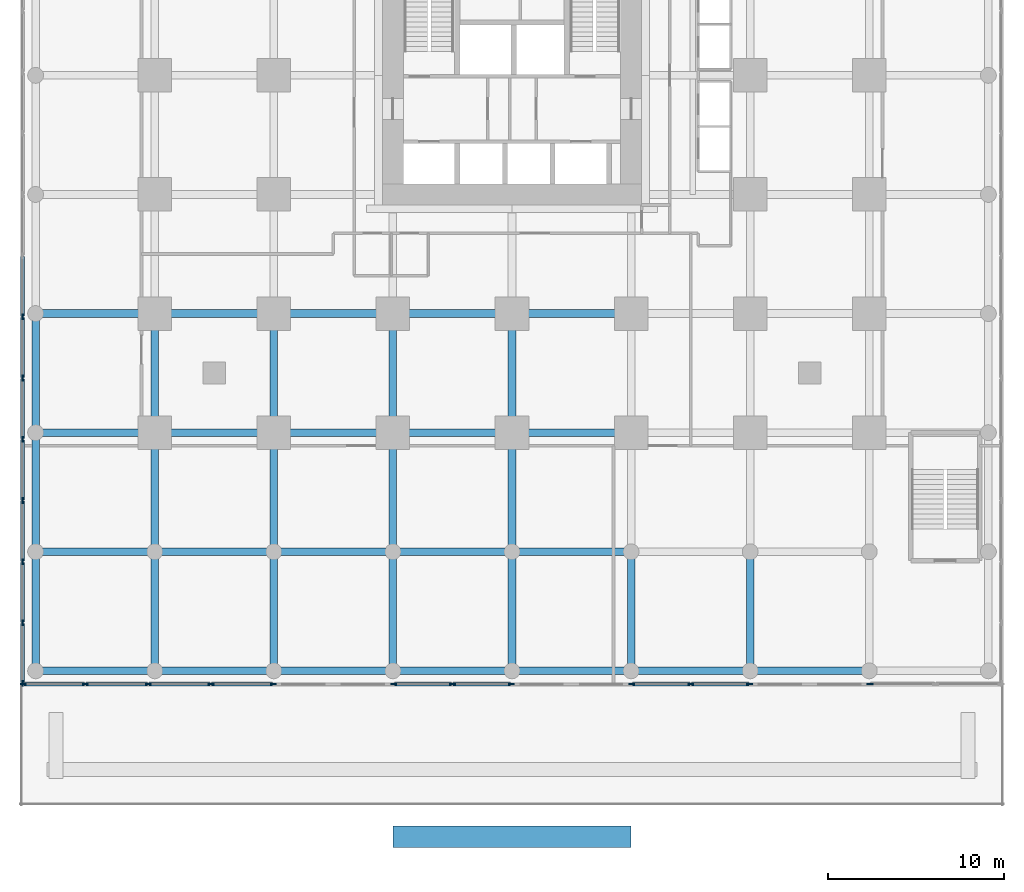
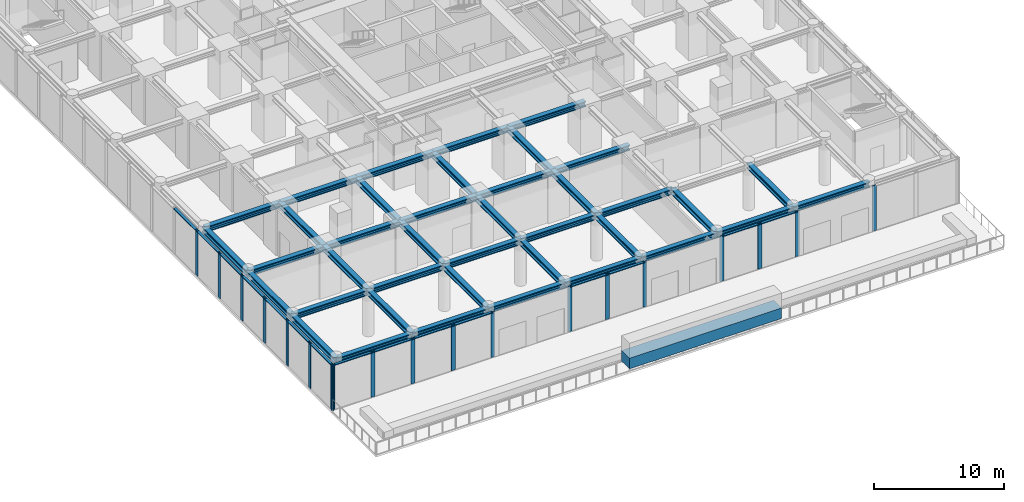
# One storey, part 2 of 11: 40 beams, 34 members, 5 elements without a shape of their own.
"""IFC4 building model written with IfcOpenShell, lengths in metres."""

import ifcopenshell
import ifcopenshell.guid

model = None  # the IFC model being written
_history = None  # IfcOwnerHistory: only IFC2X3 demands one
_inside = {}  # id of a spatial element -> (the spatial element, [elements in it])
_under = {}  # id of a project, library or spatial element -> (it, [spatial elements below it])
_declared = {}  # id of a project -> (the project, [libraries it declares])
_typed = {}  # id of a type object -> (the type object, [elements of that type])
_made_of = {}  # id of a material, layer set ... -> (it, [elements and type objects made of it])


def new_model(schema):
    """Start an empty IFC model of exactly this schema.

    Asked for "IFC4X3", IfcOpenShell would pick the latest addendum, in which some entities
    have other attributes; the version numbers below select the first issue.
    IFC2X3 requires an IfcOwnerHistory on every rooted entity: one is made here for all.
    """
    global model, _history
    if schema == "IFC4X3":
        model = ifcopenshell.file(schema_version=(4, 3, 0, 0))
    else:
        model = ifcopenshell.file(schema=schema)
    _inside.clear()
    _under.clear()
    _declared.clear()
    _typed.clear()
    _made_of.clear()
    _history = None
    if model.schema == "IFC2X3":
        org = make("IfcOrganization", Name="unknown")
        user = make(
            "IfcPersonAndOrganization",
            ThePerson=make("IfcPerson", FamilyName="unknown"),
            TheOrganization=org,
        )
        app = make(
            "IfcApplication",
            ApplicationDeveloper=org,
            Version="unknown",
            ApplicationFullName="unknown",
            ApplicationIdentifier="unknown",
        )
        _history = make(
            "IfcOwnerHistory",
            OwningUser=user,
            OwningApplication=app,
            ChangeAction="ADDED",
            CreationDate=0,
        )
    return model


def make(cls, **values):
    """One entity of the class cls with the attributes given. An attribute that is None is left unset."""
    return model.create_entity(
        cls, **{name: value for name, value in values.items() if value is not None}
    )


def rooted(cls, **values):
    """An entity with a GlobalId (a new one), such as an element, a storey or a relation."""
    return make(cls, GlobalId=ifcopenshell.guid.new(), OwnerHistory=_history, **values)


def si_unit(unit_type, name, prefix=None):
    """IfcSIUnit, for example si_unit("LENGTHUNIT", "METRE", prefix="MILLI")."""
    return make("IfcSIUnit", UnitType=unit_type, Prefix=prefix, Name=name)


def assignment(units):
    """IfcUnitAssignment: the units of a project."""
    return None if units is None else make("IfcUnitAssignment", Units=units)


def point(xyz):
    """IfcCartesianPoint."""
    return None if xyz is None else make("IfcCartesianPoint", Coordinates=xyz)


def direction(xyz):
    """IfcDirection."""
    return None if xyz is None else make("IfcDirection", DirectionRatios=xyz)


def frame(location, z_axis=None, x_axis=None):
    """IfcAxis2Placement3D, a coordinate frame: its origin and axes. An axis left out is left unset."""
    return make(
        "IfcAxis2Placement3D",
        Location=point(location),
        Axis=direction(z_axis),
        RefDirection=direction(x_axis),
    )


def frame_2d(location, x_axis=None):
    """IfcAxis2Placement2D, a coordinate frame in the plane: its origin and x axis."""
    return make(
        "IfcAxis2Placement2D", Location=point(location), RefDirection=direction(x_axis)
    )


def origin():
    """The frame at (0, 0, 0) with its axes left unset."""
    return frame((0.0, 0.0, 0.0))


def origin_2d():
    """The frame at (0, 0) in the plane with its x axis left unset."""
    return frame_2d((0.0, 0.0))


def place(relative_to, where):
    """IfcLocalPlacement: puts the frame where relative to a parent placement (None: the world)."""
    return make(
        "IfcLocalPlacement", PlacementRelTo=relative_to, RelativePlacement=where
    )


def context(
    kind, dimensions, precision=None, world=None, true_north=None, identifier=None
):
    """IfcGeometricRepresentationContext, for example the 3D "Model" context."""
    return make(
        "IfcGeometricRepresentationContext",
        ContextIdentifier=identifier,
        ContextType=kind,
        CoordinateSpaceDimension=dimensions,
        Precision=precision,
        WorldCoordinateSystem=world,
        TrueNorth=true_north,
    )


def subcontext(parent, identifier, kind, view, scale=None):
    """IfcGeometricRepresentationSubContext, for example "Body" below "Model"."""
    return make(
        "IfcGeometricRepresentationSubContext",
        ContextIdentifier=identifier,
        ContextType=kind,
        ParentContext=parent,
        TargetScale=scale,
        TargetView=view,
    )


def project(units=None, contexts=None):
    """IfcProject with its units and contexts."""
    return rooted(
        "IfcProject",
        Name="project",
        RepresentationContexts=contexts,
        UnitsInContext=assignment(units),
    )


def spatial(cls, under=None, at=None, **own):
    """A site, building, storey or space (cls), placed at a placement, below another one or the project."""
    s = rooted(cls, ObjectPlacement=at, **own)
    if under is not None:
        _under.setdefault(under.id(), (under, []))[1].append(s)
    return s


def profile(cls, at=None, kind="AREA", **sizes):
    """A parametric profile (cls). Its sizes go by their IFC names, for example OverallWidth=200.0."""
    return make(cls, ProfileType=kind, Position=at, **sizes)


def rectangle(**sizes):
    """IfcRectangleProfileDef."""
    return profile("IfcRectangleProfileDef", **sizes)


def i_section(**sizes):
    """IfcIShapeProfileDef."""
    return profile("IfcIShapeProfileDef", **sizes)


def extrude(swept, where, along, depth):
    """IfcExtrudedAreaSolid: the profile swept, set in the frame where, extruded along a direction by depth."""
    return make(
        "IfcExtrudedAreaSolid",
        SweptArea=swept,
        Position=where,
        ExtrudedDirection=direction(along),
        Depth=depth,
    )


def shape(context_of_items, identifier, shape_type, items):
    """IfcShapeRepresentation: the items that make up one representation, for example the "Body"."""
    return make(
        "IfcShapeRepresentation",
        ContextOfItems=context_of_items,
        RepresentationIdentifier=identifier,
        RepresentationType=shape_type,
        Items=items,
    )


def material(Name=None, Category=None):
    """IfcMaterial."""
    return make("IfcMaterial", Name=Name, Category=Category)


def material_profile(
    of_material, cross_section, Name=None, Category=None, Priority=None
):
    """IfcMaterialProfile: a cross section and its material."""
    return make(
        "IfcMaterialProfile",
        Name=Name,
        Material=of_material,
        Profile=cross_section,
        Priority=Priority,
        Category=Category,
    )


def profile_set(profiles, Name=None, composite=None):
    """IfcMaterialProfileSet."""
    return make(
        "IfcMaterialProfileSet",
        Name=Name,
        MaterialProfiles=profiles,
        CompositeProfile=composite,
    )


def made_of(thing, what):
    """Note that an element or type object is made of a material, layer set ...; save() writes the relation."""
    if what is not None:
        _made_of.setdefault(what.id(), (what, []))[1].append(thing)
    return thing


def type_object(cls, material=None, **own):
    """A type object (cls), such as IfcWallType, which elements share."""
    return made_of(rooted(cls, **own), material)


def element(
    cls,
    number,
    at=None,
    inside=None,
    cuts=None,
    type_object=None,
    material=None,
    context=None,
    identifier="Body",
    shape_type=None,
    held_by="IfcProductDefinitionShape",
    body=None,
    shapes=None,
    **own,
):
    """One element of the class cls, such as IfcWall. Its Tag is "e" and its number.

    at: its placement. inside: the storey or other place that contains it. cuts: it is an
    opening in that element (IfcRelVoidsElement). A single representation is given by context,
    identifier, shape_type and body (its items); several are given by shapes. held_by: the class
    of the entity that holds the representations. save() writes the other relations.
    """
    e = rooted(cls, Tag="e%d" % number, ObjectPlacement=at, **own)
    if body is not None:
        shapes = [shape(context, identifier, shape_type, body)]
    if shapes is not None:
        e.Representation = make(held_by, Representations=shapes)
    if inside is not None:
        _inside.setdefault(inside.id(), (inside, []))[1].append(e)
    if cuts is not None:
        rooted(
            "IfcRelVoidsElement", RelatingBuildingElement=cuts, RelatedOpeningElement=e
        )
    if type_object is not None:
        _typed.setdefault(type_object.id(), (type_object, []))[1].append(e)
    return made_of(e, material)


def aggregate(whole, parts):
    """IfcRelAggregates: a whole, such as a stair, and the parts it consists of."""
    return rooted("IfcRelAggregates", RelatingObject=whole, RelatedObjects=parts)


def save(model, path):
    """Write the relations noted so far, then the file.

    IfcRelAggregates (storeys below a building ...), IfcRelContainedInSpatialStructure (elements
    in a storey), IfcRelDefinesByType, IfcRelAssociatesMaterial and IfcRelDeclares: one each for
    every whole, place, type object, material and project.
    """
    for whole, parts in _under.values():
        aggregate(whole, parts)
    for where, things in _inside.values():
        rooted(
            "IfcRelContainedInSpatialStructure",
            RelatedElements=things,
            RelatingStructure=where,
        )
    for kind, things in _typed.values():
        rooted("IfcRelDefinesByType", RelatedObjects=things, RelatingType=kind)
    for what, things in _made_of.values():
        rooted("IfcRelAssociatesMaterial", RelatedObjects=things, RelatingMaterial=what)
    for by, libraries in _declared.values():
        rooted("IfcRelDeclares", RelatingContext=by, RelatedDefinitions=libraries)
    model.write(path)


model = new_model("IFC4")

# Units and contexts
model_context = context("Model", 3, precision=1e-05, world=origin(), true_north=direction((0.0, 1.0)))
body_context = subcontext(model_context, "Body", "Model", "MODEL_VIEW")
ifc_project = project(units=[si_unit("LENGTHUNIT", "METRE"), si_unit("AREAUNIT", "SQUARE_METRE"), si_unit("VOLUMEUNIT", "CUBIC_METRE"), si_unit("PLANEANGLEUNIT", "RADIAN"), si_unit("MASSUNIT", "GRAM", prefix="KILO")], contexts=[model_context])

# Site, building, storey
site_placement = place(None, origin())
site = spatial("IfcSite", under=ifc_project, at=site_placement, CompositionType="ELEMENT")
building_placement = place(site_placement, origin())
building = spatial("IfcBuilding", under=site, at=building_placement, Name="Nyansa Garden Tower", CompositionType="ELEMENT")
storey_placement = place(building_placement, frame((0.0, 0.0, 4.5)))
storey = spatial("IfcBuildingStorey", under=building, at=storey_placement, Name="L01", CompositionType="ELEMENT", Elevation=4.5)

# Curtain wall, members
ifc_material_1 = material(Name="Black anodised aluminium, clear double glazing", Category="aluminium")
curtain_wall_type = type_object("IfcCurtainWallType", Name="Podium curtain wall PCW", PredefinedType="USERDEFINED", material=ifc_material_1)
curtain_wall_1_placement = place(storey_placement, origin())
curtain_wall_1 = element("IfcCurtainWall", 1, at=curtain_wall_1_placement, inside=storey, type_object=curtain_wall_type, Name="Podium curtain wall L01 W", ObjectType="STICK CURTAIN WALL", PredefinedType="USERDEFINED")
ifc_material_2 = material(Name="Black anodised aluminium", Category="aluminium")
ifc_material_profile_1 = material_profile(ifc_material_2, rectangle(XDim=0.080078125, YDim=0.35009765625, at=origin_2d()), Name="Mullion 350x80")
ifc_profile_set_1 = profile_set([ifc_material_profile_1], Name="Black anodised aluminium")
member_type_1 = type_object("IfcMemberType", Name="Mullion PCW 350x80", PredefinedType="MULLION", material=ifc_profile_set_1)
member_1_placement = place(storey_placement, frame((-7.5, 6.5625, 0.0), z_axis=(0.0, 0.0, 1.0), x_axis=(1.0, 0.0, 0.0)))
member_1 = element("IfcMember", 2, at=member_1_placement, type_object=member_type_1, Name="PCW mullion 11", PredefinedType="MULLION", context=body_context, shape_type="SweptSolid", body=[
    extrude(rectangle(XDim=0.080078125, YDim=0.35009765625, at=origin_2d()), origin(), (0.0, 0.0, 1.0), 4.25),
])
member_2_placement = place(storey_placement, frame((-7.5, 3.09375, 0.0), z_axis=(0.0, 0.0, 1.0), x_axis=(1.0, 0.0, 0.0)))
member_2 = element("IfcMember", 3, at=member_2_placement, type_object=member_type_1, Name="PCW mullion 12", PredefinedType="MULLION", context=body_context, shape_type="SweptSolid", body=[
    extrude(rectangle(XDim=0.080078125, YDim=0.35009765625, at=origin_2d()), origin(), (0.0, 0.0, 1.0), 4.25),
])
member_3_placement = place(storey_placement, frame((-7.5, -0.375, 0.0), z_axis=(0.0, 0.0, 1.0), x_axis=(1.0, 0.0, 0.0)))
member_3 = element("IfcMember", 4, at=member_3_placement, type_object=member_type_1, Name="PCW mullion 13", PredefinedType="MULLION", context=body_context, shape_type="SweptSolid", body=[
    extrude(rectangle(XDim=0.080078125, YDim=0.35009765625, at=origin_2d()), origin(), (0.0, 0.0, 1.0), 4.25),
])
member_4_placement = place(storey_placement, frame((-7.5, -3.84375, 0.0), z_axis=(0.0, 0.0, 1.0), x_axis=(1.0, 0.0, 0.0)))
member_4 = element("IfcMember", 5, at=member_4_placement, type_object=member_type_1, Name="PCW mullion 14", PredefinedType="MULLION", context=body_context, shape_type="SweptSolid", body=[
    extrude(rectangle(XDim=0.080078125, YDim=0.35009765625, at=origin_2d()), origin(), (0.0, 0.0, 1.0), 4.25),
])
member_5_placement = place(storey_placement, frame((-7.5, -7.3125, 0.0), z_axis=(0.0, 0.0, 1.0), x_axis=(1.0, 0.0, 0.0)))
member_5 = element("IfcMember", 6, at=member_5_placement, type_object=member_type_1, Name="PCW mullion 15", PredefinedType="MULLION", context=body_context, shape_type="SweptSolid", body=[
    extrude(rectangle(XDim=0.080078125, YDim=0.35009765625, at=origin_2d()), origin(), (0.0, 0.0, 1.0), 4.25),
])
member_6_placement = place(storey_placement, frame((-7.5, -10.78125, 0.0), z_axis=(0.0, 0.0, 1.0), x_axis=(1.0, 0.0, 0.0)))
member_6 = element("IfcMember", 7, at=member_6_placement, type_object=member_type_1, Name="PCW mullion 16", PredefinedType="MULLION", context=body_context, shape_type="SweptSolid", body=[
    extrude(rectangle(XDim=0.080078125, YDim=0.35009765625, at=origin_2d()), origin(), (0.0, 0.0, 1.0), 4.25),
])
member_7_placement = place(storey_placement, frame((-7.5, -14.2099609375, 0.0), z_axis=(0.0, 0.0, 1.0), x_axis=(1.0, 0.0, 0.0)))
member_7 = element("IfcMember", 8, at=member_7_placement, type_object=member_type_1, Name="PCW mullion 17", PredefinedType="MULLION", context=body_context, shape_type="SweptSolid", body=[
    extrude(rectangle(XDim=0.080078125, YDim=0.35009765625, at=origin_2d()), origin(), (0.0, 0.0, 1.0), 4.25),
])

curtain_wall_2_placement = place(storey_placement, origin())
curtain_wall_2 = element("IfcCurtainWall", 9, at=curtain_wall_2_placement, inside=storey, type_object=curtain_wall_type, Name="Podium curtain wall L01 S", ObjectType="STICK CURTAIN WALL", PredefinedType="USERDEFINED")
member_8_placement = place(storey_placement, frame((-7.4599609375, -14.25, 0.0), z_axis=(0.0, 0.0, 1.0), x_axis=(0.0, 1.0, 0.0)))
member_8 = element("IfcMember", 10, at=member_8_placement, type_object=member_type_1, Name="PCW mullion 1", PredefinedType="MULLION", context=body_context, shape_type="SweptSolid", body=[
    extrude(rectangle(XDim=0.080078125, YDim=0.35009765625, at=origin_2d()), origin(), (0.0, 0.0, 1.0), 4.25),
])
member_9_placement = place(storey_placement, frame((-3.9375, -14.25, 0.0), z_axis=(0.0, 0.0, 1.0), x_axis=(0.0, 1.0, 0.0)))
member_9 = element("IfcMember", 11, at=member_9_placement, type_object=member_type_1, Name="PCW mullion 2", PredefinedType="MULLION", context=body_context, shape_type="SweptSolid", body=[
    extrude(rectangle(XDim=0.080078125, YDim=0.35009765625, at=origin_2d()), origin(), (0.0, 0.0, 1.0), 4.25),
])
member_10_placement = place(storey_placement, frame((-0.375, -14.25, 0.0), z_axis=(0.0, 0.0, 1.0), x_axis=(0.0, 1.0, 0.0)))
member_10 = element("IfcMember", 12, at=member_10_placement, type_object=member_type_1, Name="PCW mullion 3", PredefinedType="MULLION", context=body_context, shape_type="SweptSolid", body=[
    extrude(rectangle(XDim=0.080078125, YDim=0.35009765625, at=origin_2d()), origin(), (0.0, 0.0, 1.0), 4.25),
])
member_11_placement = place(storey_placement, frame((3.1875, -14.25, 0.0), z_axis=(0.0, 0.0, 1.0), x_axis=(0.0, 1.0, 0.0)))
member_11 = element("IfcMember", 13, at=member_11_placement, type_object=member_type_1, Name="PCW mullion 4", PredefinedType="MULLION", context=body_context, shape_type="SweptSolid", body=[
    extrude(rectangle(XDim=0.080078125, YDim=0.35009765625, at=origin_2d()), origin(), (0.0, 0.0, 1.0), 4.25),
])
member_12_placement = place(storey_placement, frame((6.7099609375, -14.25, 0.0), z_axis=(0.0, 0.0, 1.0), x_axis=(0.0, 1.0, 0.0)))
member_12 = element("IfcMember", 14, at=member_12_placement, type_object=member_type_1, Name="PCW mullion 5", PredefinedType="MULLION", context=body_context, shape_type="SweptSolid", body=[
    extrude(rectangle(XDim=0.080078125, YDim=0.35009765625, at=origin_2d()), origin(), (0.0, 0.0, 1.0), 4.25),
])

curtain_wall_3_placement = place(storey_placement, origin())
curtain_wall_3 = element("IfcCurtainWall", 15, at=curtain_wall_3_placement, inside=storey, type_object=curtain_wall_type, Name="Podium curtain wall L01 S", ObjectType="STICK CURTAIN WALL", PredefinedType="USERDEFINED")
member_13_placement = place(storey_placement, frame((13.5400390625, -14.25, 0.0), z_axis=(0.0, 0.0, 1.0), x_axis=(0.0, 1.0, 0.0)))
member_13 = element("IfcMember", 16, at=member_13_placement, type_object=member_type_1, Name="PCW mullion 1", PredefinedType="MULLION", context=body_context, shape_type="SweptSolid", body=[
    extrude(rectangle(XDim=0.080078125, YDim=0.35009765625, at=origin_2d()), origin(), (0.0, 0.0, 1.0), 4.25),
])
member_14_placement = place(storey_placement, frame((16.875, -14.25, 0.0), z_axis=(0.0, 0.0, 1.0), x_axis=(0.0, 1.0, 0.0)))
member_14 = element("IfcMember", 17, at=member_14_placement, type_object=member_type_1, Name="PCW mullion 2", PredefinedType="MULLION", context=body_context, shape_type="SweptSolid", body=[
    extrude(rectangle(XDim=0.080078125, YDim=0.35009765625, at=origin_2d()), origin(), (0.0, 0.0, 1.0), 4.25),
])
member_15_placement = place(storey_placement, frame((20.2099609375, -14.25, 0.0), z_axis=(0.0, 0.0, 1.0), x_axis=(0.0, 1.0, 0.0)))
member_15 = element("IfcMember", 18, at=member_15_placement, type_object=member_type_1, Name="PCW mullion 3", PredefinedType="MULLION", context=body_context, shape_type="SweptSolid", body=[
    extrude(rectangle(XDim=0.080078125, YDim=0.35009765625, at=origin_2d()), origin(), (0.0, 0.0, 1.0), 4.25),
])

curtain_wall_4_placement = place(storey_placement, origin())
curtain_wall_4 = element("IfcCurtainWall", 19, at=curtain_wall_4_placement, inside=storey, type_object=curtain_wall_type, Name="Podium curtain wall L01 S", ObjectType="STICK CURTAIN WALL", PredefinedType="USERDEFINED")
member_16_placement = place(storey_placement, frame((27.0400390625, -14.25, 0.0), z_axis=(0.0, 0.0, 1.0), x_axis=(0.0, 1.0, 0.0)))
member_16 = element("IfcMember", 20, at=member_16_placement, type_object=member_type_1, Name="PCW mullion 1", PredefinedType="MULLION", context=body_context, shape_type="SweptSolid", body=[
    extrude(rectangle(XDim=0.080078125, YDim=0.35009765625, at=origin_2d()), origin(), (0.0, 0.0, 1.0), 4.25),
])
member_17_placement = place(storey_placement, frame((30.375, -14.25, 0.0), z_axis=(0.0, 0.0, 1.0), x_axis=(0.0, 1.0, 0.0)))
member_17 = element("IfcMember", 21, at=member_17_placement, type_object=member_type_1, Name="PCW mullion 2", PredefinedType="MULLION", context=body_context, shape_type="SweptSolid", body=[
    extrude(rectangle(XDim=0.080078125, YDim=0.35009765625, at=origin_2d()), origin(), (0.0, 0.0, 1.0), 4.25),
])
member_18_placement = place(storey_placement, frame((33.7099609375, -14.25, 0.0), z_axis=(0.0, 0.0, 1.0), x_axis=(0.0, 1.0, 0.0)))
member_18 = element("IfcMember", 22, at=member_18_placement, type_object=member_type_1, Name="PCW mullion 3", PredefinedType="MULLION", context=body_context, shape_type="SweptSolid", body=[
    extrude(rectangle(XDim=0.080078125, YDim=0.35009765625, at=origin_2d()), origin(), (0.0, 0.0, 1.0), 4.25),
])

# Curtain wall, member
curtain_wall_5_placement = place(storey_placement, origin())
curtain_wall_5 = element("IfcCurtainWall", 23, at=curtain_wall_5_placement, inside=storey, type_object=curtain_wall_type, Name="Podium curtain wall L01 S", ObjectType="STICK CURTAIN WALL", PredefinedType="USERDEFINED")
member_19_placement = place(storey_placement, frame((40.5400390625, -14.25, 0.0), z_axis=(0.0, 0.0, 1.0), x_axis=(0.0, 1.0, 0.0)))
member_19 = element("IfcMember", 24, at=member_19_placement, type_object=member_type_1, Name="PCW mullion 1", PredefinedType="MULLION", context=body_context, shape_type="SweptSolid", body=[
    extrude(rectangle(XDim=0.080078125, YDim=0.35009765625, at=origin_2d()), origin(), (0.0, 0.0, 1.0), 4.25),
])
aggregate(curtain_wall_5, [member_19])

# Beams
ifc_material_3 = material(Name="Concrete C70/85", Category="concrete")
ifc_material_profile_2 = material_profile(ifc_material_3, rectangle(XDim=1.199951171875, YDim=1.0, at=origin_2d()), Name="RC 1200x1000")
ifc_profile_set_2 = profile_set([ifc_material_profile_2], Name="Concrete C70/85")
beam_type_1 = type_object("IfcBeamType", Name="Portal lintel beam PLB1 RC 1200x1000", PredefinedType="BEAM", material=ifc_profile_set_2)
beam_placement = place(storey_placement, frame((13.5, -22.89990234375, 2.60009765625), z_axis=(1.0, 0.0, 0.0), x_axis=(0.0, 1.0, 0.0)))
element("IfcBeam", 25, at=beam_placement, inside=storey, type_object=beam_type_1, Name="Pishtaq portal lintel beam", PredefinedType="BEAM", context=body_context, shape_type="SweptSolid", body=[
    extrude(rectangle(XDim=1.199951171875, YDim=1.0, at=origin_2d()), origin(), (0.0, 0.0, 1.0), 13.5),
])
ifc_material_4 = material(Name="Steel S355", Category="steel")
ifc_material_profile_3 = material_profile(ifc_material_4, i_section(OverallWidth=0.431884765625, OverallDepth=0.498046875, WebThickness=0.0556640625, FlangeThickness=0.0888671875, FilletRadius=0.014892578125, at=origin_2d()), Name="HD 400x744")
ifc_profile_set_3 = profile_set([ifc_material_profile_3], Name="Steel S355")
beam_type_2 = type_object("IfcBeamType", Name="Steel beam SBP1-744 HD 400x744", PredefinedType="BEAM", material=ifc_profile_set_3)
for number, where, z_axis, x_axis, name in (
    (26, (-6.75, -6.75, 4.0009765625), (1.0, 0.0, 0.0), (0.0, 1.0, 0.0), "Steel beam 1/C-2/C L02"),
    (27, (-6.75, 0.0, 4.0009765625), (1.0, 0.0, 0.0), (0.0, 1.0, 0.0), "Steel beam 1/D-2/D L02"),
    (28, (-6.75, 6.75, 4.0009765625), (1.0, 0.0, 0.0), (0.0, 1.0, 0.0), "Steel beam 1/E-2/E L02"),
    (29, (0.0, -13.5, 4.0009765625), (0.0, 1.0, 0.0), (-1.0, 0.0, 0.0), "Steel beam 2/B-2/C L02"),
    (30, (0.0, -6.75, 4.0009765625), (0.0, 1.0, 0.0), (-1.0, 0.0, 0.0), "Steel beam 2/C-2/D L02"),
    (31, (0.0, -6.75, 4.0009765625), (1.0, 0.0, 0.0), (0.0, 1.0, 0.0), "Steel beam 2/C-3/C L02"),
    (32, (0.0, 0.0, 4.0009765625), (0.0, 1.0, 0.0), (-1.0, 0.0, 0.0), "Steel beam 2/D-2/E L02"),
    (33, (0.0, 0.0, 4.0009765625), (1.0, 0.0, 0.0), (0.0, 1.0, 0.0), "Steel beam 2/D-3/D L02"),
    (34, (0.0, 6.75, 4.0009765625), (1.0, 0.0, 0.0), (0.0, 1.0, 0.0), "Steel beam 2/E-3/E L02"),
    (35, (6.75, -13.5, 4.0009765625), (0.0, 1.0, 0.0), (-1.0, 0.0, 0.0), "Steel beam 3/B-3/C L02"),
    (36, (6.75, -6.75, 4.0009765625), (0.0, 1.0, 0.0), (-1.0, 0.0, 0.0), "Steel beam 3/C-3/D L02"),
    (37, (6.75, -6.75, 4.0009765625), (1.0, 0.0, 0.0), (0.0, 1.0, 0.0), "Steel beam 3/C-4/C L02"),
    (38, (6.75, 0.0, 4.0009765625), (0.0, 1.0, 0.0), (-1.0, 0.0, 0.0), "Steel beam 3/D-3/E L02"),
    (39, (6.75, 0.0, 4.0009765625), (1.0, 0.0, 0.0), (0.0, 1.0, 0.0), "Steel beam 3/D-4/D L02"),
    (40, (6.75, 6.75, 4.0009765625), (1.0, 0.0, 0.0), (0.0, 1.0, 0.0), "Steel beam 3/E-4/E L02"),
    (41, (13.5, -13.5, 4.0009765625), (0.0, 1.0, 0.0), (-1.0, 0.0, 0.0), "Steel beam 4/B-4/C L02"),
    (42, (13.5, -6.75, 4.0009765625), (0.0, 1.0, 0.0), (-1.0, 0.0, 0.0), "Steel beam 4/C-4/D L02"),
    (43, (13.5, -6.75, 4.0009765625), (1.0, 0.0, 0.0), (0.0, 1.0, 0.0), "Steel beam 4/C-5/C L02"),
    (44, (13.5, 0.0, 4.0009765625), (0.0, 1.0, 0.0), (-1.0, 0.0, 0.0), "Steel beam 4/D-4/E L02"),
    (45, (13.5, 0.0, 4.0009765625), (1.0, 0.0, 0.0), (0.0, 1.0, 0.0), "Steel beam 4/D-5/D L02"),
    (46, (13.5, 6.75, 4.0009765625), (1.0, 0.0, 0.0), (0.0, 1.0, 0.0), "Steel beam 4/E-5/E L02"),
    (47, (20.25, -13.5, 4.0009765625), (0.0, 1.0, 0.0), (-1.0, 0.0, 0.0), "Steel beam 5/B-5/C L02"),
    (48, (20.25, -6.75, 4.0009765625), (0.0, 1.0, 0.0), (-1.0, 0.0, 0.0), "Steel beam 5/C-5/D L02"),
    (49, (20.25, -6.75, 4.0009765625), (1.0, 0.0, 0.0), (0.0, 1.0, 0.0), "Steel beam 5/C-6/C L02"),
    (50, (20.25, 0.0, 4.0009765625), (0.0, 1.0, 0.0), (-1.0, 0.0, 0.0), "Steel beam 5/D-5/E L02"),
    (51, (20.25, 0.0, 4.0009765625), (1.0, 0.0, 0.0), (0.0, 1.0, 0.0), "Steel beam 5/D-6/D L02"),
    (52, (20.25, 6.75, 4.0009765625), (1.0, 0.0, 0.0), (0.0, 1.0, 0.0), "Steel beam 5/E-6/E L02"),
    (53, (27.0, -13.5, 4.0009765625), (0.0, 1.0, 0.0), (-1.0, 0.0, 0.0), "Steel beam 6/B-6/C L02"),
    (54, (33.75, -13.5, 4.0009765625), (0.0, 1.0, 0.0), (-1.0, 0.0, 0.0), "Steel beam 7/B-7/C L02"),
):
    element("IfcBeam", number, at=place(storey_placement, frame(where, z_axis=z_axis, x_axis=x_axis)), inside=storey, type_object=beam_type_2, Name=name, PredefinedType="BEAM", context=body_context, shape_type="SweptSolid", body=[
        extrude(i_section(OverallWidth=0.431884765625, OverallDepth=0.498046875, WebThickness=0.0556640625, FlangeThickness=0.0888671875, FilletRadius=0.014892578125, at=origin_2d()), origin(), (0.0, 0.0, 1.0), 6.75),
    ])
ifc_material_5 = material(Name="Steel S355", Category="steel")
ifc_material_profile_4 = material_profile(ifc_material_5, i_section(OverallWidth=0.431884765625, OverallDepth=0.498046875, WebThickness=0.0556640625, FlangeThickness=0.0888671875, FilletRadius=0.014892578125, at=origin_2d()), Name="HD 400x744")
ifc_profile_set_4 = profile_set([ifc_material_profile_4], Name="Steel S355")
beam_type_3 = type_object("IfcBeamType", Name="Steel beam SEBP-744 HD 400x744", PredefinedType="BEAM", material=ifc_profile_set_4)
for number, where, z_axis, x_axis, name in (
    (55, (-6.75, -13.5, 4.0009765625), (0.0, 1.0, 0.0), (-1.0, 0.0, 0.0), "Steel edge beam 1/B-1/C L02"),
    (56, (-6.75, -13.5, 4.0009765625), (1.0, 0.0, 0.0), (0.0, 1.0, 0.0), "Steel edge beam 1/B-2/B L02"),
    (57, (-6.75, -6.75, 4.0009765625), (0.0, 1.0, 0.0), (-1.0, 0.0, 0.0), "Steel edge beam 1/C-1/D L02"),
    (58, (-6.75, 0.0, 4.0009765625), (0.0, 1.0, 0.0), (-1.0, 0.0, 0.0), "Steel edge beam 1/D-1/E L02"),
    (59, (0.0, -13.5, 4.0009765625), (1.0, 0.0, 0.0), (0.0, 1.0, 0.0), "Steel edge beam 2/B-3/B L02"),
    (60, (6.75, -13.5, 4.0009765625), (1.0, 0.0, 0.0), (0.0, 1.0, 0.0), "Steel edge beam 3/B-4/B L02"),
    (61, (13.5, -13.5, 4.0009765625), (1.0, 0.0, 0.0), (0.0, 1.0, 0.0), "Steel edge beam 4/B-5/B L02"),
    (62, (20.25, -13.5, 4.0009765625), (1.0, 0.0, 0.0), (0.0, 1.0, 0.0), "Steel edge beam 5/B-6/B L02"),
    (63, (27.0, -13.5, 4.0009765625), (1.0, 0.0, 0.0), (0.0, 1.0, 0.0), "Steel edge beam 6/B-7/B L02"),
    (64, (33.75, -13.5, 4.0009765625), (1.0, 0.0, 0.0), (0.0, 1.0, 0.0), "Steel edge beam 7/B-8/B L02"),
):
    element("IfcBeam", number, at=place(storey_placement, frame(where, z_axis=z_axis, x_axis=x_axis)), inside=storey, type_object=beam_type_3, Name=name, PredefinedType="BEAM", context=body_context, shape_type="SweptSolid", body=[
        extrude(i_section(OverallWidth=0.431884765625, OverallDepth=0.498046875, WebThickness=0.0556640625, FlangeThickness=0.0888671875, FilletRadius=0.014892578125, at=origin_2d()), origin(), (0.0, 0.0, 1.0), 6.75),
    ])

# Member
ifc_material_6 = material(Name="Black anodised aluminium", Category="aluminium")
ifc_material_profile_5 = material_profile(ifc_material_6, rectangle(XDim=0.219970703125, YDim=0.080078125, at=origin_2d()), Name="Transom 220x80")
ifc_profile_set_5 = profile_set([ifc_material_profile_5], Name="Black anodised aluminium")
member_type_2 = type_object("IfcMemberType", Name="Transom PCW 220x80", PredefinedType="USERDEFINED", material=ifc_profile_set_5)
member_20_placement = place(storey_placement, frame((-7.5, 9.9912109375, 4.2099609375), z_axis=(0.0, -1.0, 0.0), x_axis=(1.0, 0.0, 0.0)))
member_20 = element("IfcMember", 65, at=member_20_placement, type_object=member_type_2, Name="PCW transom 10", ObjectType="TRANSOM", PredefinedType="USERDEFINED", context=body_context, shape_type="SweptSolid", body=[
    extrude(rectangle(XDim=0.219970703125, YDim=0.080078125, at=origin_2d()), origin(), (0.0, 0.0, 1.0), 3.388671875),
])

member_21_placement = place(storey_placement, frame((-7.5, 6.5224609375, 4.2099609375), z_axis=(0.0, -1.0, 0.0), x_axis=(1.0, 0.0, 0.0)))
member_21 = element("IfcMember", 66, at=member_21_placement, type_object=member_type_2, Name="PCW transom 11", ObjectType="TRANSOM", PredefinedType="USERDEFINED", context=body_context, shape_type="SweptSolid", body=[
    extrude(rectangle(XDim=0.219970703125, YDim=0.080078125, at=origin_2d()), origin(), (0.0, 0.0, 1.0), 3.388671875),
])

member_22_placement = place(storey_placement, frame((-7.5, 3.0537109375, 4.2099609375), z_axis=(0.0, -1.0, 0.0), x_axis=(1.0, 0.0, 0.0)))
member_22 = element("IfcMember", 67, at=member_22_placement, type_object=member_type_2, Name="PCW transom 12", ObjectType="TRANSOM", PredefinedType="USERDEFINED", context=body_context, shape_type="SweptSolid", body=[
    extrude(rectangle(XDim=0.219970703125, YDim=0.080078125, at=origin_2d()), origin(), (0.0, 0.0, 1.0), 3.388671875),
])

member_23_placement = place(storey_placement, frame((-7.5, -0.4150390625, 4.2099609375), z_axis=(0.0, -1.0, 0.0), x_axis=(1.0, 0.0, 0.0)))
member_23 = element("IfcMember", 68, at=member_23_placement, type_object=member_type_2, Name="PCW transom 13", ObjectType="TRANSOM", PredefinedType="USERDEFINED", context=body_context, shape_type="SweptSolid", body=[
    extrude(rectangle(XDim=0.219970703125, YDim=0.080078125, at=origin_2d()), origin(), (0.0, 0.0, 1.0), 3.388671875),
])

member_24_placement = place(storey_placement, frame((-7.5, -3.8837890625, 4.2099609375), z_axis=(0.0, -1.0, 0.0), x_axis=(1.0, 0.0, 0.0)))
member_24 = element("IfcMember", 69, at=member_24_placement, type_object=member_type_2, Name="PCW transom 14", ObjectType="TRANSOM", PredefinedType="USERDEFINED", context=body_context, shape_type="SweptSolid", body=[
    extrude(rectangle(XDim=0.219970703125, YDim=0.080078125, at=origin_2d()), origin(), (0.0, 0.0, 1.0), 3.388671875),
])

member_25_placement = place(storey_placement, frame((-7.5, -7.3525390625, 4.2099609375), z_axis=(0.0, -1.0, 0.0), x_axis=(1.0, 0.0, 0.0)))
member_25 = element("IfcMember", 70, at=member_25_placement, type_object=member_type_2, Name="PCW transom 15", ObjectType="TRANSOM", PredefinedType="USERDEFINED", context=body_context, shape_type="SweptSolid", body=[
    extrude(rectangle(XDim=0.219970703125, YDim=0.080078125, at=origin_2d()), origin(), (0.0, 0.0, 1.0), 3.388671875),
])

member_26_placement = place(storey_placement, frame((-7.5, -10.8212890625, 4.2099609375), z_axis=(0.0, -1.0, 0.0), x_axis=(1.0, 0.0, 0.0)))
member_26 = element("IfcMember", 71, at=member_26_placement, type_object=member_type_2, Name="PCW transom 16", ObjectType="TRANSOM", PredefinedType="USERDEFINED", context=body_context, shape_type="SweptSolid", body=[
    extrude(rectangle(XDim=0.219970703125, YDim=0.080078125, at=origin_2d()), origin(), (0.0, 0.0, 1.0), 3.3486328125),
])

aggregate(curtain_wall_1, [member_1, member_2, member_3, member_4, member_5, member_6, member_7, member_20, member_21, member_22, member_23, member_24, member_25, member_26])

member_27_placement = place(storey_placement, frame((-7.419921875, -14.25, 4.2099609375), z_axis=(1.0, 0.0, 0.0), x_axis=(0.0, 1.0, 0.0)))
member_27 = element("IfcMember", 72, at=member_27_placement, type_object=member_type_2, Name="PCW transom 1", ObjectType="TRANSOM", PredefinedType="USERDEFINED", context=body_context, shape_type="SweptSolid", body=[
    extrude(rectangle(XDim=0.219970703125, YDim=0.080078125, at=origin_2d()), origin(), (0.0, 0.0, 1.0), 3.4423828125),
])

member_28_placement = place(storey_placement, frame((-3.8974609375, -14.25, 4.2099609375), z_axis=(1.0, 0.0, 0.0), x_axis=(0.0, 1.0, 0.0)))
member_28 = element("IfcMember", 73, at=member_28_placement, type_object=member_type_2, Name="PCW transom 2", ObjectType="TRANSOM", PredefinedType="USERDEFINED", context=body_context, shape_type="SweptSolid", body=[
    extrude(rectangle(XDim=0.219970703125, YDim=0.080078125, at=origin_2d()), origin(), (0.0, 0.0, 1.0), 3.482421875),
])

member_29_placement = place(storey_placement, frame((-0.3349609375, -14.25, 4.2099609375), z_axis=(1.0, 0.0, 0.0), x_axis=(0.0, 1.0, 0.0)))
member_29 = element("IfcMember", 74, at=member_29_placement, type_object=member_type_2, Name="PCW transom 3", ObjectType="TRANSOM", PredefinedType="USERDEFINED", context=body_context, shape_type="SweptSolid", body=[
    extrude(rectangle(XDim=0.219970703125, YDim=0.080078125, at=origin_2d()), origin(), (0.0, 0.0, 1.0), 3.482421875),
])

member_30_placement = place(storey_placement, frame((3.2275390625, -14.25, 4.2099609375), z_axis=(1.0, 0.0, 0.0), x_axis=(0.0, 1.0, 0.0)))
member_30 = element("IfcMember", 75, at=member_30_placement, type_object=member_type_2, Name="PCW transom 4", ObjectType="TRANSOM", PredefinedType="USERDEFINED", context=body_context, shape_type="SweptSolid", body=[
    extrude(rectangle(XDim=0.219970703125, YDim=0.080078125, at=origin_2d()), origin(), (0.0, 0.0, 1.0), 3.4423828125),
])

aggregate(curtain_wall_2, [member_8, member_9, member_10, member_11, member_12, member_27, member_28, member_29, member_30])

member_31_placement = place(storey_placement, frame((13.580078125, -14.25, 4.2099609375), z_axis=(1.0, 0.0, 0.0), x_axis=(0.0, 1.0, 0.0)))
member_31 = element("IfcMember", 76, at=member_31_placement, type_object=member_type_2, Name="PCW transom 1", ObjectType="TRANSOM", PredefinedType="USERDEFINED", context=body_context, shape_type="SweptSolid", body=[
    extrude(rectangle(XDim=0.219970703125, YDim=0.080078125, at=origin_2d()), origin(), (0.0, 0.0, 1.0), 3.2548828125),
])

member_32_placement = place(storey_placement, frame((16.9150390625, -14.25, 4.2099609375), z_axis=(1.0, 0.0, 0.0), x_axis=(0.0, 1.0, 0.0)))
member_32 = element("IfcMember", 77, at=member_32_placement, type_object=member_type_2, Name="PCW transom 2", ObjectType="TRANSOM", PredefinedType="USERDEFINED", context=body_context, shape_type="SweptSolid", body=[
    extrude(rectangle(XDim=0.219970703125, YDim=0.080078125, at=origin_2d()), origin(), (0.0, 0.0, 1.0), 3.2548828125),
])

aggregate(curtain_wall_3, [member_13, member_14, member_15, member_31, member_32])

member_33_placement = place(storey_placement, frame((27.080078125, -14.25, 4.2099609375), z_axis=(1.0, 0.0, 0.0), x_axis=(0.0, 1.0, 0.0)))
member_33 = element("IfcMember", 78, at=member_33_placement, type_object=member_type_2, Name="PCW transom 1", ObjectType="TRANSOM", PredefinedType="USERDEFINED", context=body_context, shape_type="SweptSolid", body=[
    extrude(rectangle(XDim=0.219970703125, YDim=0.080078125, at=origin_2d()), origin(), (0.0, 0.0, 1.0), 3.2548828125),
])

member_34_placement = place(storey_placement, frame((30.4150390625, -14.25, 4.2099609375), z_axis=(1.0, 0.0, 0.0), x_axis=(0.0, 1.0, 0.0)))
member_34 = element("IfcMember", 79, at=member_34_placement, type_object=member_type_2, Name="PCW transom 2", ObjectType="TRANSOM", PredefinedType="USERDEFINED", context=body_context, shape_type="SweptSolid", body=[
    extrude(rectangle(XDim=0.219970703125, YDim=0.080078125, at=origin_2d()), origin(), (0.0, 0.0, 1.0), 3.2548828125),
])

aggregate(curtain_wall_4, [member_16, member_17, member_18, member_33, member_34])

save(model, "model.ifc")
